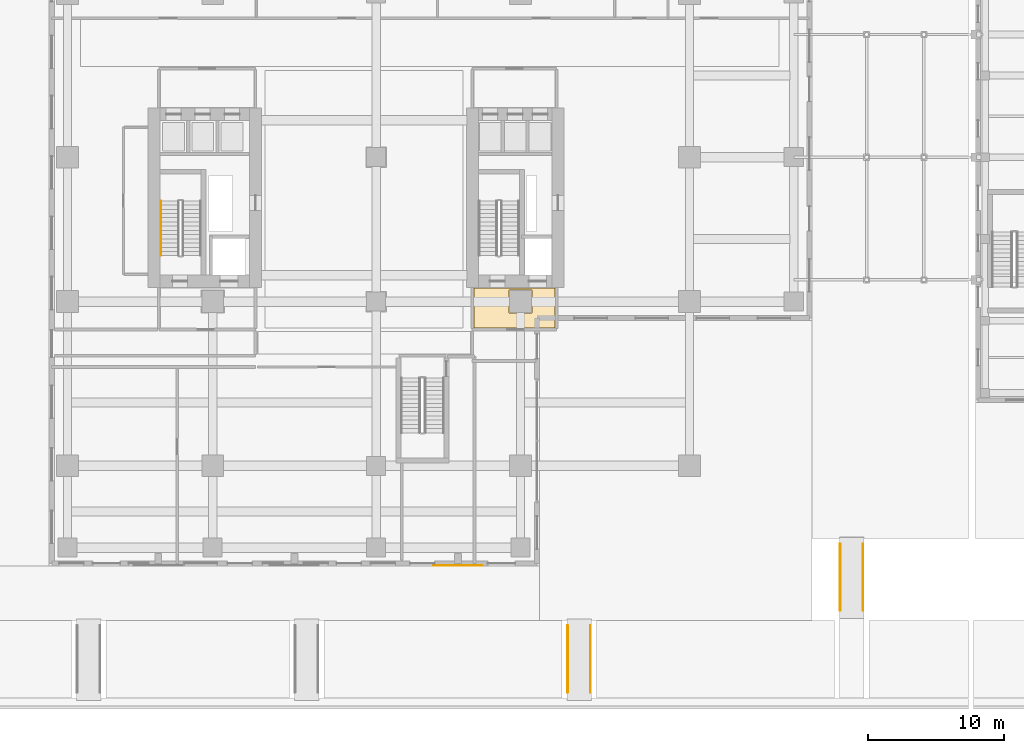
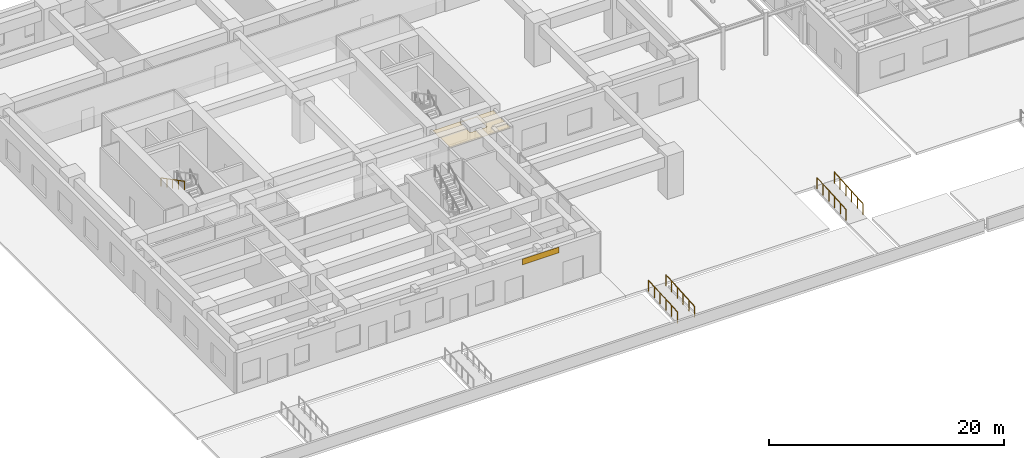
# One storey, part 32 of 39: 5 railings, 2 coverings.
"""IFC4 building model written with IfcOpenShell, lengths in metres."""

from ifc_helpers import new_model, si_unit, direction, frame, origin, origin_2d, place, context, subcontext, project, spatial, polyline, rectangle, circle, outline, extrude, source, transform, mapped, material, layer, layer_set, type_object, element, save


model = new_model("IFC4")

# Units and contexts
model_context = context("Model", 3, precision=1e-05, world=origin(), true_north=direction((0.0, 1.0)))
body_context = subcontext(model_context, "Body", "Model", "MODEL_VIEW")
ifc_project = project(units=[si_unit("LENGTHUNIT", "METRE"), si_unit("AREAUNIT", "SQUARE_METRE"), si_unit("VOLUMEUNIT", "CUBIC_METRE"), si_unit("PLANEANGLEUNIT", "RADIAN"), si_unit("MASSUNIT", "GRAM", prefix="KILO")], contexts=[model_context])

# Site, building, storey
site_placement = place(None, origin())
site = spatial("IfcSite", under=ifc_project, at=site_placement, CompositionType="ELEMENT")
building_placement = place(site_placement, origin())
building = spatial("IfcBuilding", under=site, at=building_placement, Name="Khoralis Quay Care Tower", CompositionType="ELEMENT")
storey_placement = place(building_placement, origin())
storey = spatial("IfcBuildingStorey", under=building, at=storey_placement, Name="L00", CompositionType="ELEMENT", Elevation=0.0)

# Covering
ifc_material_1 = material(Name="Mineral-fibre acoustic ceiling tile")
ifc_layer_1 = layer(ifc_material_1, 0.01806640625)
ifc_layer_set_1 = layer_set([ifc_layer_1], Name="Mineral-fibre acoustic ceiling tile")
covering_type_1 = type_object("IfcCoveringType", Name="COV-CEIL-AC18", PredefinedType="CEILING", material=ifc_layer_set_1)
covering_1_placement = place(storey_placement, frame((0.0, 0.0, 4.011962890625)))
element("IfcCovering", 1, at=covering_1_placement, inside=storey, type_object=covering_type_1, Name="Suspended Acoustic Ceiling SP-L00-FFLOB-E", PredefinedType="CEILING", context=body_context, shape_type="SweptSolid", body=[
    extrude(outline(polyline([(31.179931640625, 11.47998046875), (37.1201171875, 11.47998046875), (37.1201171875, 14.39990234375), (31.179931640625, 14.39990234375), (31.179931640625, 11.47998046875)]), holes=[polyline([(33.75, 12.550048828125), (35.449951171875, 12.550048828125), (35.449951171875, 14.25), (33.75, 14.25), (33.75, 12.550048828125)])]), origin(), (0.0, 0.0, 1.0), 0.01806640625),
])

# Railings
ifc_material_2 = material(Name="Pale anodised aluminium", Category="aluminium")
railing_type_1 = type_object("IfcRailingType", Name="RL-BALUST-1150", PredefinedType="BALUSTRADE", material=ifc_material_2)
for number, where, name in (
    (2, (38.06005859375, -15.280029296875, -0.330078125), "Ramp 3 West Guard"),
    (3, (39.739990234375, -15.280029296875, -0.330078125), "Ramp 3 East Guard"),
    (4, (58.06005859375, -9.280029296875, -0.330078125), "Ramp 4 West Guard"),
    (5, (59.739990234375, -9.280029296875, -0.330078125), "Ramp 4 East Guard"),
):
    element("IfcRailing", number, at=place(storey_placement, frame(where)), inside=storey, type_object=railing_type_1, Name=name, PredefinedType="BALUSTRADE", context=body_context, shape_type="SweptSolid", body=[
        extrude(circle(Radius=0.02392578125, at=origin_2d()), frame((0.0, 0.0, 1.1259765625), z_axis=(0.0, 0.998004104959, 0.063149081426), x_axis=(-1.0, 0.0, 0.0)), (0.0, 0.0, 1.0), 4.909912109375),
        extrude(circle(Radius=0.02099609375, at=origin_2d()), origin(), (0.0, 0.0, 1.0), 1.101806640625),
        extrude(circle(Radius=0.02099609375, at=origin_2d()), frame((0.0, 0.97998046875, 0.06201171875)), (0.0, 0.0, 1.0), 1.101806640625),
        extrude(circle(Radius=0.02099609375, at=origin_2d()), frame((0.0, 1.9599609375, 0.1240234375)), (0.0, 0.0, 1.0), 1.101806640625),
        extrude(circle(Radius=0.02099609375, at=origin_2d()), frame((0.0, 2.940185546875, 0.18603515625)), (0.0, 0.0, 1.0), 1.101806640625),
        extrude(circle(Radius=0.02099609375, at=origin_2d()), frame((0.0, 3.920166015625, 0.248046875)), (0.0, 0.0, 1.0), 1.101806640625),
        extrude(circle(Radius=0.02099609375, at=origin_2d()), frame((0.0, 4.900146484375, 0.31005859375)), (0.0, 0.0, 1.0), 1.101806640625),
    ])
ifc_material_3 = material(Name="Brushed stainless steel", Category="steel")
railing_type_2 = type_object("IfcRailingType", Name="RL-HAND-900", PredefinedType="HANDRAIL", material=ifc_material_3)
railing_placement = place(storey_placement, frame((8.199951171875, 20.800048828125, 2.41064453125)))
element("IfcRailing", 6, at=railing_placement, inside=storey, type_object=railing_type_2, Name="L00 ST-T1 stair handrail 2", PredefinedType="HANDRAIL", context=body_context, shape_type="SweptSolid", body=[
    extrude(circle(Radius=0.02392578125, at=origin_2d()), frame((0.0, 0.0, 0.8759765625), z_axis=(0.0, -0.887780577991, 0.46026692836), x_axis=(1.0, 0.0, 0.0)), (0.0, 0.0, 1.0), 4.53955078125),
    extrude(circle(Radius=0.02099609375, at=origin_2d()), origin(), (0.0, 0.0, 1.0), 0.851806640625),
    extrude(circle(Radius=0.02099609375, at=origin_2d()), frame((0.0, -1.007568359375, 0.5224609375)), (0.0, 0.0, 1.0), 0.851806640625),
    extrude(circle(Radius=0.02099609375, at=origin_2d()), frame((0.0, -2.01513671875, 1.044677734375)), (0.0, 0.0, 1.0), 0.851806640625),
    extrude(circle(Radius=0.02099609375, at=origin_2d()), frame((0.0, -3.0224609375, 1.56689453125)), (0.0, 0.0, 1.0), 0.851806640625),
    extrude(circle(Radius=0.02099609375, at=origin_2d()), frame((0.0, -4.030029296875, 2.08935546875)), (0.0, 0.0, 1.0), 0.851806640625),
])

# Covering
ifc_material_4 = material(Name="Brushed pale anodised aluminium", Category="aluminium")
ifc_layer_2 = layer(ifc_material_4, 0.0400390625)
ifc_layer_set_2 = layer_set([ifc_layer_2], Name="Brushed pale anodised aluminium")
covering_type_2 = type_object("IfcCoveringType", Name="COV-CLAD-40", PredefinedType="CLADDING", material=ifc_layer_set_2)
shared_shape = source(origin(), body_context, "Body", "SweptSolid", [
    extrude(rectangle(XDim=3.60009765625, YDim=0.0400390625, at=origin_2d()), origin(), (0.0, 0.0, 1.0), 0.60009765625),
])
covering_2_placement = place(storey_placement, frame((30.0, -5.97998046875, 3.510009765625), z_axis=(0.0, 0.0, 1.0), x_axis=(1.0, 0.0, 0.0)))
element("IfcCovering", 7, at=covering_2_placement, inside=storey, type_object=covering_type_2, Name="L00 Pale-Metal Spandrel Cladding Panel 3", PredefinedType="CLADDING", context=body_context, shape_type="MappedRepresentation", body=[
    mapped(shared_shape, transform((0.0, 0.0, 0.0), scale=1.0)),
])

save(model, "model.ifc")
